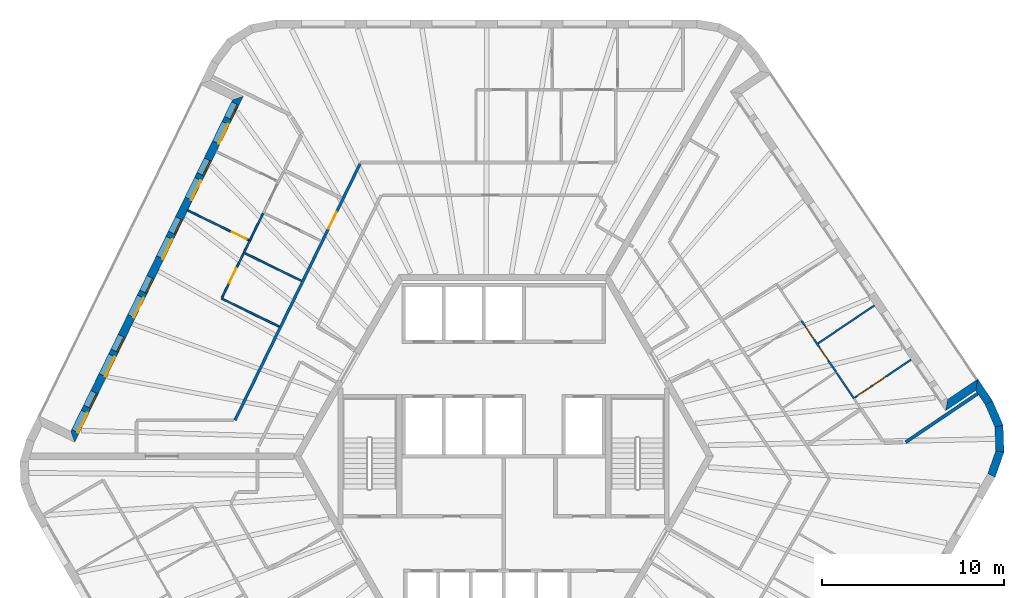
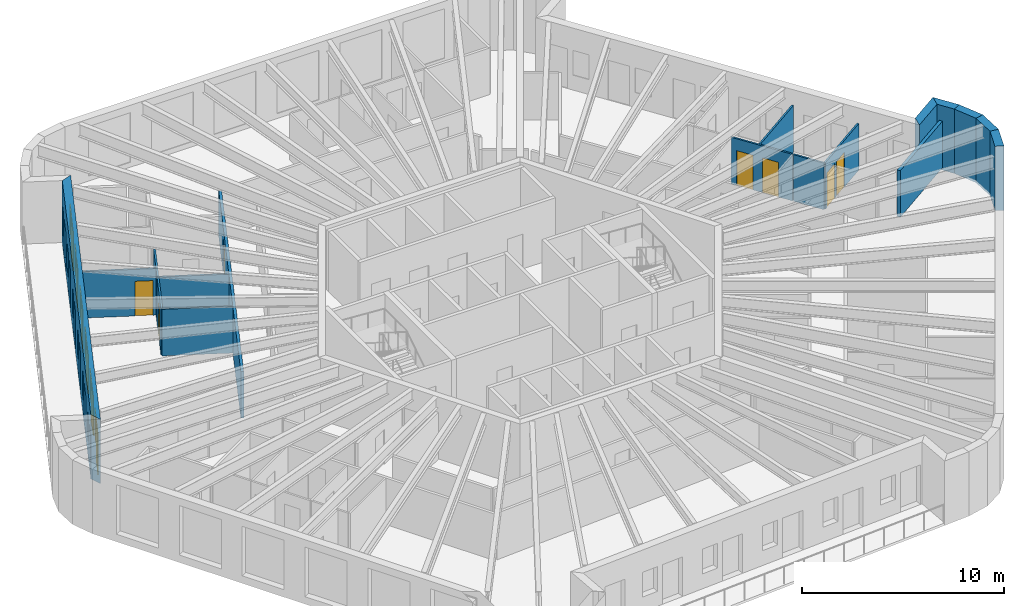
# One storey, part 7 of 11: 18 walls, 13 doors, 6 windows, 19 openings.
"""IFC4 building model written with IfcOpenShell, lengths in metres."""

from ifc_helpers import new_model, si_unit, direction, frame, frame_2d, origin, place, context, subcontext, project, spatial, polyline, rectangle, outline, extrude, material, layer, layer_set, type_object, element, fill, save


model = new_model("IFC4")

# Units and contexts
model_context = context("Model", 3, precision=1e-05, world=origin(), true_north=direction((0.0, 1.0)))
body_context = subcontext(model_context, "Body", "Model", "MODEL_VIEW")
ifc_project = project(units=[si_unit("LENGTHUNIT", "METRE"), si_unit("AREAUNIT", "SQUARE_METRE"), si_unit("VOLUMEUNIT", "CUBIC_METRE"), si_unit("PLANEANGLEUNIT", "RADIAN"), si_unit("MASSUNIT", "GRAM", prefix="KILO")], contexts=[model_context])

# Site, building, storey
site_placement = place(None, origin())
site = spatial("IfcSite", under=ifc_project, at=site_placement, CompositionType="ELEMENT")
building_placement = place(site_placement, origin())
building = spatial("IfcBuilding", under=site, at=building_placement, Name="Tarnside Tower", CompositionType="ELEMENT")
storey_placement = place(building_placement, frame((0.0, 0.0, 353.39990234375)))
storey = spatial("IfcBuildingStorey", under=building, at=storey_placement, Name="L85", CompositionType="ELEMENT", Elevation=353.39990234375)

# Walls
ifc_material_1 = material(Name="Gypsum board partition on steel studs", Category="steel")
ifc_layer_1 = layer(ifc_material_1, 0.10009765625)
ifc_layer_set_1 = layer_set([ifc_layer_1], Name="Bathroom wall 100")
wall_type_1 = type_object("IfcWallType", Name="Bathroom wall 100", PredefinedType="PARTITIONING", material=ifc_layer_set_1)
wall_1_placement = place(storey_placement, frame((-14.291259765625, 11.189208984375, 0.0), z_axis=(0.0, 0.0, 1.0), x_axis=(0.438105837585, 0.898923397779, 0.0)))
element("IfcWall", 1, at=wall_1_placement, inside=storey, type_object=wall_type_1, Name="Bathroom wall 27083", PredefinedType="PARTITIONING", context=body_context, shape_type="SweptSolid", body=[
    extrude(rectangle(XDim=0.74169921875, YDim=0.10009765625, at=frame_2d((0.370849609375, 0.0))), origin(), (0.0, 0.0, 1.0), 2.820068359375),
])
wall_2_placement = place(storey_placement, frame((-13.23828125, 13.34814453125, 0.0), z_axis=(0.0, 0.0, 1.0), x_axis=(-0.438380229518, -0.898789616299, 0.0)))
element("IfcWall", 2, at=wall_2_placement, inside=storey, type_object=wall_type_1, Name="Bathroom wall 27090", PredefinedType="PARTITIONING", context=body_context, shape_type="SweptSolid", body=[
    extrude(rectangle(XDim=1.662353515625, YDim=0.10009765625, at=frame_2d((0.8310546875, 0.0))), origin(), (0.0, 0.0, 1.0), 2.820068359375),
])
wall_3_placement = place(storey_placement, frame((-14.246337890625, 11.167236328125, 0.0), z_axis=(0.0, 0.0, 1.0), x_axis=(0.89880963085, -0.438339192283, 0.0)))
element("IfcWall", 3, at=wall_3_placement, inside=storey, type_object=wall_type_1, Name="Bathroom wall 27091", PredefinedType="PARTITIONING", context=body_context, shape_type="SweptSolid", body=[
    extrude(rectangle(XDim=3.474853515625, YDim=0.10009765625, at=frame_2d((1.7373046875, 0.0))), origin(), (0.0, 0.0, 1.0), 2.820068359375),
])
wall_4_placement = place(storey_placement, frame((19.262451171875, 3.184326171875, 0.0), z_axis=(0.0, 0.0, 1.0), x_axis=(-0.559155511525, 0.829062792514, 0.0)))
element("IfcWall", 4, at=wall_4_placement, inside=storey, type_object=wall_type_1, Name="Bathroom wall 27127", PredefinedType="PARTITIONING", context=body_context, shape_type="SweptSolid", body=[
    extrude(rectangle(XDim=1.69140625, YDim=0.10009765625, at=frame_2d((0.845703125, 0.0))), origin(), (0.0, 0.0, 1.0), 2.820068359375),
])

# Wall, opening, door
ifc_layer_2 = layer(ifc_material_1, 0.14990234375)
ifc_layer_set_2 = layer_set([ifc_layer_2], Name="Corridor wall 150 EI 60")
wall_type_2 = type_object("IfcWallType", Name="Corridor wall 150 EI 60", PredefinedType="PARTITIONING", material=ifc_layer_set_2)
wall_5_placement = place(storey_placement, frame((-7.903076171875, 16.074951171875, 0.0), z_axis=(0.0, 0.0, 1.0), x_axis=(-0.438364761272, -0.898797160696, 0.0)))
wall_5 = element("IfcWall", 5, at=wall_5_placement, inside=storey, type_object=wall_type_2, Name="Corridor wall 27002", PredefinedType="PARTITIONING", context=body_context, shape_type="SweptSolid", body=[
    extrude(rectangle(XDim=15.687744140625, YDim=0.14990234375, at=frame_2d((7.84375, 0.0))), origin(), (0.0, 0.0, 1.0), 2.820068359375),
])
opening_1_placement = place(wall_5_placement, frame((2.941650390625, 0.0, 0.0)))
opening_1 = element("IfcOpeningElement", 6, at=opening_1_placement, cuts=wall_5, Name="Opening D-E1", PredefinedType="OPENING", context=body_context, shape_type="SweptSolid", body=[
    extrude(rectangle(XDim=1.0, YDim=2.10009765625, at=frame_2d((0.5, 1.050048828125))), frame((0.0, 0.0849609375, 0.0), z_axis=(0.0, -1.0, 0.0), x_axis=(1.0, 0.0, 0.0)), (0.0, 0.0, 1.0), 0.169921875),
])
ifc_material_2 = material(Name="Timber door leaf", Category="wood")
door_type_1 = type_object("IfcDoorType", Name="Unit entrance door 1000 FD30S", OperationType="NOTDEFINED", PredefinedType="DOOR", material=ifc_material_2)
door_1_placement = place(opening_1_placement, origin())
door_1 = element("IfcDoor", 7, at=door_1_placement, inside=storey, type_object=door_type_1, Name="Unit door 27011", OperationType="SINGLE_SWING_LEFT", OverallHeight=2.10009765625, OverallWidth=1.0, PredefinedType="DOOR", context=body_context, shape_type="SweptSolid", body=[
    extrude(rectangle(XDim=1.0, YDim=2.10009765625, at=frame_2d((0.5, 1.050048828125))), frame((0.0, 0.02490234375, 0.0), z_axis=(0.0, -1.0, 0.0), x_axis=(1.0, 0.0, 0.0)), (0.0, 0.0, 1.0), 0.050048828125),
])
fill(opening_1, door_1)

# Wall
ifc_layer_3 = layer(ifc_material_1, 0.179931640625)
ifc_layer_set_3 = layer_set([ifc_layer_3], Name="Demising wall 180 EI 60")
wall_type_3 = type_object("IfcWallType", Name="Demising wall 180 EI 60", PredefinedType="PARTITIONING", material=ifc_layer_set_3)
wall_6_placement = place(storey_placement, frame((26.083984375, 3.443115234375, 0.0), z_axis=(0.0, 0.0, 1.0), x_axis=(-0.829033545972, -0.559198873079, 0.0)))
element("IfcWall", 8, at=wall_6_placement, inside=storey, type_object=wall_type_3, Name="Demising wall 27110", PredefinedType="PARTITIONING", context=body_context, shape_type="SweptSolid", body=[
    extrude(rectangle(XDim=4.775390625, YDim=0.179931640625, at=frame_2d((2.3876953125, 0.0))), origin(), (0.0, 0.0, 1.0), 2.820068359375),
])

# Wall, openings, doors, windows
ifc_material_3 = material(Name="Dark zinc cladding")
ifc_layer_4 = layer(ifc_material_3, 0.10205078125)
ifc_material_4 = material(Name="Concrete C60/75 precast", Category="concrete")
ifc_layer_5 = layer(ifc_material_4, 0.248046875)
ifc_material_5 = material(Name="Mineral wool insulation")
ifc_layer_6 = layer(ifc_material_5, 0.10009765625)
ifc_layer_set_4 = layer_set([ifc_layer_4, ifc_layer_5, ifc_layer_6], Name="Loggia wall 450 zinc faced")
wall_type_4 = type_object("IfcWallType", Name="Loggia wall 450 zinc faced", PredefinedType="SOLIDWALL", material=ifc_layer_set_4)
wall_7_placement = place(storey_placement, frame((-14.618896484375, 19.699462890625, -0.14990234375), z_axis=(0.0, 0.0, 1.0), x_axis=(-0.438373747484, -0.898792777851, 0.0)))
wall_7 = element("IfcWall", 9, at=wall_7_placement, inside=storey, type_object=wall_type_4, Name="Tube wall L85 F2 back 06", PredefinedType="SOLIDWALL", context=body_context, shape_type="SweptSolid", body=[
    extrude(outline(polyline([(0.224853515625, -0.22509765625), (20.50634765625, -0.22509765625), (20.95654296875, 0.22509765625), (-0.224853515625, 0.22509765625), (0.224853515625, -0.22509765625)])), origin(), (0.0, 0.0, 1.0), 3.89990234375),
])
opening_2_placement = place(wall_7_placement, frame((0.324951171875, 0.0, 1.050048828125)))
opening_2 = element("IfcOpeningElement", 10, at=opening_2_placement, cuts=wall_7, Name="Opening WL450", PredefinedType="OPENING", context=body_context, shape_type="SweptSolid", body=[
    extrude(rectangle(XDim=0.89990234375, YDim=1.5, at=frame_2d((0.449951171875, 0.75))), frame((0.0, 0.23486328125, 0.0), z_axis=(0.0, -1.0, 0.0), x_axis=(1.0, 0.0, 0.0)), (0.0, 0.0, 1.0), 0.469970703125),
])
opening_3_placement = place(wall_7_placement, frame((1.52490234375, 0.0, 0.14990234375)))
opening_3 = element("IfcOpeningElement", 11, at=opening_3_placement, cuts=wall_7, Name="Opening DB450", PredefinedType="OPENING", context=body_context, shape_type="SweptSolid", body=[
    extrude(rectangle(XDim=1.199951171875, YDim=2.39990234375, at=frame_2d((0.60009765625, 1.199951171875))), frame((0.0, 0.23486328125, 0.0), z_axis=(0.0, -1.0, 0.0), x_axis=(1.0, 0.0, 0.0)), (0.0, 0.0, 1.0), 0.469970703125),
])
opening_4_placement = place(wall_7_placement, frame((3.765869140625, 0.0, 1.050048828125)))
opening_4 = element("IfcOpeningElement", 12, at=opening_4_placement, cuts=wall_7, Name="Opening WL450", PredefinedType="OPENING", context=body_context, shape_type="SweptSolid", body=[
    extrude(rectangle(XDim=0.89990234375, YDim=1.5, at=frame_2d((0.449951171875, 0.75))), frame((0.0, 0.23486328125, 0.0), z_axis=(0.0, -1.0, 0.0), x_axis=(1.0, 0.0, 0.0)), (0.0, 0.0, 1.0), 0.469970703125),
])
opening_5_placement = place(wall_7_placement, frame((4.9658203125, 0.0, 0.14990234375)))
opening_5 = element("IfcOpeningElement", 13, at=opening_5_placement, cuts=wall_7, Name="Opening DB450", PredefinedType="OPENING", context=body_context, shape_type="SweptSolid", body=[
    extrude(rectangle(XDim=1.199951171875, YDim=2.39990234375, at=frame_2d((0.60009765625, 1.199951171875))), frame((0.0, 0.23486328125, 0.0), z_axis=(0.0, -1.0, 0.0), x_axis=(1.0, 0.0, 0.0)), (0.0, 0.0, 1.0), 0.469970703125),
])
opening_6_placement = place(wall_7_placement, frame((7.36572265625, 0.0, 1.050048828125)))
opening_6 = element("IfcOpeningElement", 14, at=opening_6_placement, cuts=wall_7, Name="Opening WL450", PredefinedType="OPENING", context=body_context, shape_type="SweptSolid", body=[
    extrude(rectangle(XDim=0.89990234375, YDim=1.5, at=frame_2d((0.449951171875, 0.75))), frame((0.0, 0.23486328125, 0.0), z_axis=(0.0, -1.0, 0.0), x_axis=(1.0, 0.0, 0.0)), (0.0, 0.0, 1.0), 0.469970703125),
])
opening_7_placement = place(wall_7_placement, frame((8.56591796875, 0.0, 0.14990234375)))
opening_7 = element("IfcOpeningElement", 15, at=opening_7_placement, cuts=wall_7, Name="Opening DB450", PredefinedType="OPENING", context=body_context, shape_type="SweptSolid", body=[
    extrude(rectangle(XDim=1.199951171875, YDim=2.39990234375, at=frame_2d((0.60009765625, 1.199951171875))), frame((0.0, 0.23486328125, 0.0), z_axis=(0.0, -1.0, 0.0), x_axis=(1.0, 0.0, 0.0)), (0.0, 0.0, 1.0), 0.469970703125),
])
opening_8_placement = place(wall_7_placement, frame((10.9658203125, 0.0, 1.050048828125)))
opening_8 = element("IfcOpeningElement", 16, at=opening_8_placement, cuts=wall_7, Name="Opening WL450", PredefinedType="OPENING", context=body_context, shape_type="SweptSolid", body=[
    extrude(rectangle(XDim=0.89990234375, YDim=1.5, at=frame_2d((0.449951171875, 0.75))), frame((0.0, 0.23486328125, 0.0), z_axis=(0.0, -1.0, 0.0), x_axis=(1.0, 0.0, 0.0)), (0.0, 0.0, 1.0), 0.469970703125),
])
opening_9_placement = place(wall_7_placement, frame((12.165771484375, 0.0, 0.14990234375)))
opening_9 = element("IfcOpeningElement", 17, at=opening_9_placement, cuts=wall_7, Name="Opening DB450", PredefinedType="OPENING", context=body_context, shape_type="SweptSolid", body=[
    extrude(rectangle(XDim=1.199951171875, YDim=2.39990234375, at=frame_2d((0.60009765625, 1.199951171875))), frame((0.0, 0.23486328125, 0.0), z_axis=(0.0, -1.0, 0.0), x_axis=(1.0, 0.0, 0.0)), (0.0, 0.0, 1.0), 0.469970703125),
])
opening_10_placement = place(wall_7_placement, frame((14.56591796875, 0.0, 1.050048828125)))
opening_10 = element("IfcOpeningElement", 18, at=opening_10_placement, cuts=wall_7, Name="Opening WL450", PredefinedType="OPENING", context=body_context, shape_type="SweptSolid", body=[
    extrude(rectangle(XDim=0.89990234375, YDim=1.5, at=frame_2d((0.449951171875, 0.75))), frame((0.0, 0.23486328125, 0.0), z_axis=(0.0, -1.0, 0.0), x_axis=(1.0, 0.0, 0.0)), (0.0, 0.0, 1.0), 0.469970703125),
])
opening_11_placement = place(wall_7_placement, frame((15.765869140625, 0.0, 0.14990234375)))
opening_11 = element("IfcOpeningElement", 19, at=opening_11_placement, cuts=wall_7, Name="Opening DB450", PredefinedType="OPENING", context=body_context, shape_type="SweptSolid", body=[
    extrude(rectangle(XDim=1.199951171875, YDim=2.39990234375, at=frame_2d((0.60009765625, 1.199951171875))), frame((0.0, 0.23486328125, 0.0), z_axis=(0.0, -1.0, 0.0), x_axis=(1.0, 0.0, 0.0)), (0.0, 0.0, 1.0), 0.469970703125),
])
opening_12_placement = place(wall_7_placement, frame((18.006591796875, 0.0, 1.050048828125)))
opening_12 = element("IfcOpeningElement", 20, at=opening_12_placement, cuts=wall_7, Name="Opening WL450", PredefinedType="OPENING", context=body_context, shape_type="SweptSolid", body=[
    extrude(rectangle(XDim=0.89990234375, YDim=1.5, at=frame_2d((0.449951171875, 0.75))), frame((0.0, 0.23486328125, 0.0), z_axis=(0.0, -1.0, 0.0), x_axis=(1.0, 0.0, 0.0)), (0.0, 0.0, 1.0), 0.469970703125),
])
opening_13_placement = place(wall_7_placement, frame((19.20654296875, 0.0, 0.14990234375)))
opening_13 = element("IfcOpeningElement", 21, at=opening_13_placement, cuts=wall_7, Name="Opening DB450", PredefinedType="OPENING", context=body_context, shape_type="SweptSolid", body=[
    extrude(rectangle(XDim=1.199951171875, YDim=2.39990234375, at=frame_2d((0.60009765625, 1.199951171875))), frame((0.0, 0.23486328125, 0.0), z_axis=(0.0, -1.0, 0.0), x_axis=(1.0, 0.0, 0.0)), (0.0, 0.0, 1.0), 0.469970703125),
])
ifc_material_6 = material(Name="Aluminium-framed double glazing", Category="aluminium")
door_type_2 = type_object("IfcDoorType", Name="Balcony sliding door 1200 x 2400 in 450 wall", OperationType="SLIDING_TO_LEFT", PredefinedType="DOOR", material=ifc_material_6)
door_2_placement = place(opening_3_placement, frame((0.0, 0.150146484375, 0.0)))
door_2 = element("IfcDoor", 22, at=door_2_placement, inside=storey, type_object=door_type_2, Name="E.BD.L85.F2.00", OperationType="SLIDING_TO_LEFT", OverallHeight=2.39990234375, OverallWidth=1.199951171875, PredefinedType="DOOR", context=body_context, shape_type="SweptSolid", body=[
    extrude(rectangle(XDim=1.199951171875, YDim=2.39990234375, at=frame_2d((0.60009765625, 1.199951171875))), frame((0.0, 0.02490234375, 0.0), z_axis=(0.0, -1.0, 0.0), x_axis=(1.0, 0.0, 0.0)), (0.0, 0.0, 1.0), 0.050048828125),
])
fill(opening_3, door_2)
door_3_placement = place(opening_5_placement, frame((0.0, 0.150146484375, 0.0)))
door_3 = element("IfcDoor", 23, at=door_3_placement, inside=storey, type_object=door_type_2, Name="E.BD.L85.F2.01", OperationType="SLIDING_TO_LEFT", OverallHeight=2.39990234375, OverallWidth=1.199951171875, PredefinedType="DOOR", context=body_context, shape_type="SweptSolid", body=[
    extrude(rectangle(XDim=1.199951171875, YDim=2.39990234375, at=frame_2d((0.60009765625, 1.199951171875))), frame((0.0, 0.02490234375, 0.0), z_axis=(0.0, -1.0, 0.0), x_axis=(1.0, 0.0, 0.0)), (0.0, 0.0, 1.0), 0.050048828125),
])
fill(opening_5, door_3)
door_4_placement = place(opening_7_placement, frame((0.0, 0.150146484375, 0.0)))
door_4 = element("IfcDoor", 24, at=door_4_placement, inside=storey, type_object=door_type_2, Name="E.BD.L85.F2.02", OperationType="SLIDING_TO_LEFT", OverallHeight=2.39990234375, OverallWidth=1.199951171875, PredefinedType="DOOR", context=body_context, shape_type="SweptSolid", body=[
    extrude(rectangle(XDim=1.199951171875, YDim=2.39990234375, at=frame_2d((0.60009765625, 1.199951171875))), frame((0.0, 0.02490234375, 0.0), z_axis=(0.0, -1.0, 0.0), x_axis=(1.0, 0.0, 0.0)), (0.0, 0.0, 1.0), 0.050048828125),
])
fill(opening_7, door_4)
door_5_placement = place(opening_9_placement, frame((0.0, 0.150146484375, 0.0)))
door_5 = element("IfcDoor", 25, at=door_5_placement, inside=storey, type_object=door_type_2, Name="E.BD.L85.F2.03", OperationType="SLIDING_TO_LEFT", OverallHeight=2.39990234375, OverallWidth=1.199951171875, PredefinedType="DOOR", context=body_context, shape_type="SweptSolid", body=[
    extrude(rectangle(XDim=1.199951171875, YDim=2.39990234375, at=frame_2d((0.60009765625, 1.199951171875))), frame((0.0, 0.02490234375, 0.0), z_axis=(0.0, -1.0, 0.0), x_axis=(1.0, 0.0, 0.0)), (0.0, 0.0, 1.0), 0.050048828125),
])
fill(opening_9, door_5)
door_6_placement = place(opening_11_placement, frame((0.0, 0.150146484375, 0.0)))
door_6 = element("IfcDoor", 26, at=door_6_placement, inside=storey, type_object=door_type_2, Name="E.BD.L85.F2.04", OperationType="SLIDING_TO_LEFT", OverallHeight=2.39990234375, OverallWidth=1.199951171875, PredefinedType="DOOR", context=body_context, shape_type="SweptSolid", body=[
    extrude(rectangle(XDim=1.199951171875, YDim=2.39990234375, at=frame_2d((0.60009765625, 1.199951171875))), frame((0.0, 0.02490234375, 0.0), z_axis=(0.0, -1.0, 0.0), x_axis=(1.0, 0.0, 0.0)), (0.0, 0.0, 1.0), 0.050048828125),
])
fill(opening_11, door_6)
door_7_placement = place(opening_13_placement, frame((0.0, 0.150146484375, 0.0)))
door_7 = element("IfcDoor", 27, at=door_7_placement, inside=storey, type_object=door_type_2, Name="E.BD.L85.F2.05", OperationType="SLIDING_TO_LEFT", OverallHeight=2.39990234375, OverallWidth=1.199951171875, PredefinedType="DOOR", context=body_context, shape_type="SweptSolid", body=[
    extrude(rectangle(XDim=1.199951171875, YDim=2.39990234375, at=frame_2d((0.60009765625, 1.199951171875))), frame((0.0, 0.02490234375, 0.0), z_axis=(0.0, -1.0, 0.0), x_axis=(1.0, 0.0, 0.0)), (0.0, 0.0, 1.0), 0.050048828125),
])
fill(opening_13, door_7)
window_type = type_object("IfcWindowType", Name="Loggia window 900 x 1500 in 450 wall", PartitioningType="SINGLE_PANEL", PredefinedType="WINDOW", material=ifc_material_6)
window_1_placement = place(opening_2_placement, frame((0.0, 0.1552734375, 0.0)))
window_1 = element("IfcWindow", 28, at=window_1_placement, inside=storey, type_object=window_type, Name="E.LW.L85.F2.00", OverallHeight=1.5, OverallWidth=0.89990234375, PartitioningType="SINGLE_PANEL", PredefinedType="WINDOW", context=body_context, shape_type="SweptSolid", body=[
    extrude(rectangle(XDim=0.89990234375, YDim=1.5, at=frame_2d((0.449951171875, 0.75))), frame((0.0, 0.030029296875, 0.0), z_axis=(0.0, -1.0, 0.0), x_axis=(1.0, 0.0, 0.0)), (0.0, 0.0, 1.0), 0.06005859375),
])
fill(opening_2, window_1)
window_2_placement = place(opening_4_placement, frame((0.0, 0.1552734375, 0.0)))
window_2 = element("IfcWindow", 29, at=window_2_placement, inside=storey, type_object=window_type, Name="E.LW.L85.F2.01", OverallHeight=1.5, OverallWidth=0.89990234375, PartitioningType="SINGLE_PANEL", PredefinedType="WINDOW", context=body_context, shape_type="SweptSolid", body=[
    extrude(rectangle(XDim=0.89990234375, YDim=1.5, at=frame_2d((0.449951171875, 0.75))), frame((0.0, 0.030029296875, 0.0), z_axis=(0.0, -1.0, 0.0), x_axis=(1.0, 0.0, 0.0)), (0.0, 0.0, 1.0), 0.06005859375),
])
fill(opening_4, window_2)
window_3_placement = place(opening_6_placement, frame((0.0, 0.1552734375, 0.0)))
window_3 = element("IfcWindow", 30, at=window_3_placement, inside=storey, type_object=window_type, Name="E.LW.L85.F2.02", OverallHeight=1.5, OverallWidth=0.89990234375, PartitioningType="SINGLE_PANEL", PredefinedType="WINDOW", context=body_context, shape_type="SweptSolid", body=[
    extrude(rectangle(XDim=0.89990234375, YDim=1.5, at=frame_2d((0.449951171875, 0.75))), frame((0.0, 0.030029296875, 0.0), z_axis=(0.0, -1.0, 0.0), x_axis=(1.0, 0.0, 0.0)), (0.0, 0.0, 1.0), 0.06005859375),
])
fill(opening_6, window_3)
window_4_placement = place(opening_8_placement, frame((0.0, 0.1552734375, 0.0)))
window_4 = element("IfcWindow", 31, at=window_4_placement, inside=storey, type_object=window_type, Name="E.LW.L85.F2.03", OverallHeight=1.5, OverallWidth=0.89990234375, PartitioningType="SINGLE_PANEL", PredefinedType="WINDOW", context=body_context, shape_type="SweptSolid", body=[
    extrude(rectangle(XDim=0.89990234375, YDim=1.5, at=frame_2d((0.449951171875, 0.75))), frame((0.0, 0.030029296875, 0.0), z_axis=(0.0, -1.0, 0.0), x_axis=(1.0, 0.0, 0.0)), (0.0, 0.0, 1.0), 0.06005859375),
])
fill(opening_8, window_4)
window_5_placement = place(opening_10_placement, frame((0.0, 0.1552734375, 0.0)))
window_5 = element("IfcWindow", 32, at=window_5_placement, inside=storey, type_object=window_type, Name="E.LW.L85.F2.04", OverallHeight=1.5, OverallWidth=0.89990234375, PartitioningType="SINGLE_PANEL", PredefinedType="WINDOW", context=body_context, shape_type="SweptSolid", body=[
    extrude(rectangle(XDim=0.89990234375, YDim=1.5, at=frame_2d((0.449951171875, 0.75))), frame((0.0, 0.030029296875, 0.0), z_axis=(0.0, -1.0, 0.0), x_axis=(1.0, 0.0, 0.0)), (0.0, 0.0, 1.0), 0.06005859375),
])
fill(opening_10, window_5)
window_6_placement = place(opening_12_placement, frame((0.0, 0.1552734375, 0.0)))
window_6 = element("IfcWindow", 33, at=window_6_placement, inside=storey, type_object=window_type, Name="E.LW.L85.F2.05", OverallHeight=1.5, OverallWidth=0.89990234375, PartitioningType="SINGLE_PANEL", PredefinedType="WINDOW", context=body_context, shape_type="SweptSolid", body=[
    extrude(rectangle(XDim=0.89990234375, YDim=1.5, at=frame_2d((0.449951171875, 0.75))), frame((0.0, 0.030029296875, 0.0), z_axis=(0.0, -1.0, 0.0), x_axis=(1.0, 0.0, 0.0)), (0.0, 0.0, 1.0), 0.06005859375),
])
fill(opening_12, window_6)

# Walls
wall_8_placement = place(storey_placement, frame((26.69873046875, 2.93408203125, -0.14990234375), z_axis=(0.0, 0.0, 1.0), x_axis=(-0.559105892217, 0.829096255744, 0.0)))
element("IfcWall", 34, at=wall_8_placement, inside=storey, type_object=wall_type_4, Name="Tube wall L85 F6 stub 28", PredefinedType="SOLIDWALL", context=body_context, shape_type="SweptSolid", body=[
    extrude(outline(polyline([(-0.02099609375, -0.22509765625), (1.4248046875, -0.22509765625), (0.97509765625, 0.22509765625), (0.02099609375, 0.22509765625), (-0.02099609375, -0.22509765625)])), origin(), (0.0, 0.0, 1.0), 3.89990234375),
])
wall_9_placement = place(storey_placement, frame((26.02783203125, 3.928955078125, -0.14990234375), z_axis=(0.0, 0.0, 1.0), x_axis=(-0.829052389485, -0.559170935841, 0.0)))
element("IfcWall", 35, at=wall_9_placement, inside=storey, type_object=wall_type_4, Name="Tube wall L85 F6 return 29", PredefinedType="SOLIDWALL", context=body_context, shape_type="SweptSolid", body=[
    extrude(outline(polyline([(-0.224853515625, -0.22509765625), (1.77490234375, -0.22509765625), (2.22509765625, 0.22509765625), (0.224853515625, 0.22509765625), (-0.224853515625, -0.22509765625)])), origin(), (0.0, 0.0, 1.0), 3.89990234375),
])

# Wall, opening, door
ifc_layer_7 = layer(ifc_material_1, 0.10009765625)
ifc_layer_set_5 = layer_set([ifc_layer_7], Name="Partition 100")
wall_type_5 = type_object("IfcWallType", Name="Partition 100", PredefinedType="PARTITIONING", material=ifc_layer_set_5)
wall_10_placement = place(storey_placement, frame((-14.011962890625, 11.8759765625, 0.0), z_axis=(0.0, 0.0, 1.0), x_axis=(-0.898810362659, 0.438337691713, 0.0)))
wall_10 = element("IfcWall", 36, at=wall_10_placement, inside=storey, type_object=wall_type_5, Name="Partition wall 27084", PredefinedType="PARTITIONING", context=body_context, shape_type="SweptSolid", body=[
    extrude(rectangle(XDim=3.75, YDim=0.10009765625, at=frame_2d((1.875, 0.0))), origin(), (0.0, 0.0, 1.0), 2.820068359375),
])
opening_14_placement = place(wall_10_placement, frame((0.14990234375, 0.0, 0.0)))
opening_14 = element("IfcOpeningElement", 37, at=opening_14_placement, cuts=wall_10, Name="Opening D-I1", PredefinedType="OPENING", context=body_context, shape_type="SweptSolid", body=[
    extrude(rectangle(XDim=0.89990234375, YDim=2.10009765625, at=frame_2d((0.449951171875, 1.050048828125))), frame((0.0, 0.06005859375, 0.0), z_axis=(0.0, -1.0, 0.0), x_axis=(1.0, 0.0, 0.0)), (0.0, 0.0, 1.0), 0.1201171875),
])
door_type_3 = type_object("IfcDoorType", Name="Internal door 900", OperationType="NOTDEFINED", PredefinedType="DOOR", material=ifc_material_2)
door_8_placement = place(opening_14_placement, origin())
door_8 = element("IfcDoor", 38, at=door_8_placement, inside=storey, type_object=door_type_3, Name="Internal door 27020", OperationType="SINGLE_SWING_RIGHT", OverallHeight=2.10009765625, OverallWidth=0.89990234375, PredefinedType="DOOR", context=body_context, shape_type="SweptSolid", body=[
    extrude(rectangle(XDim=0.89990234375, YDim=2.10009765625, at=frame_2d((0.449951171875, 1.050048828125))), frame((0.0, 0.02490234375, 0.0), z_axis=(0.0, -1.0, 0.0), x_axis=(1.0, 0.0, 0.0)), (0.0, 0.0, 1.0), 0.050048828125),
])
fill(opening_14, door_8)

# Wall
wall_11_placement = place(storey_placement, frame((-12.3505859375, 7.12744140625, 0.0), z_axis=(0.0, 0.0, 1.0), x_axis=(-0.898802391248, 0.438354036696, 0.0)))
element("IfcWall", 39, at=wall_11_placement, inside=storey, type_object=wall_type_5, Name="Partition wall 27085", PredefinedType="PARTITIONING", context=body_context, shape_type="SweptSolid", body=[
    extrude(rectangle(XDim=3.52490234375, YDim=0.10009765625, at=frame_2d((1.762451171875, 0.0))), origin(), (0.0, 0.0, 1.0), 2.820068359375),
])

# Wall, opening, door
wall_12_placement = place(storey_placement, frame((-15.496826171875, 8.717529296875, 0.0), z_axis=(0.0, 0.0, 1.0), x_axis=(0.438366623032, 0.898796252669, 0.0)))
wall_12 = element("IfcWall", 40, at=wall_12_placement, inside=storey, type_object=wall_type_5, Name="Partition wall 27086", PredefinedType="PARTITIONING", context=body_context, shape_type="SweptSolid", body=[
    extrude(rectangle(XDim=2.699951171875, YDim=0.10009765625, at=frame_2d((1.35009765625, 0.0))), origin(), (0.0, 0.0, 1.0), 2.820068359375),
])
opening_15_placement = place(wall_12_placement, frame((0.89990234375, 0.0, 0.0)))
opening_15 = element("IfcOpeningElement", 41, at=opening_15_placement, cuts=wall_12, Name="Opening D-I1", PredefinedType="OPENING", context=body_context, shape_type="SweptSolid", body=[
    extrude(rectangle(XDim=0.89990234375, YDim=2.10009765625, at=frame_2d((0.449951171875, 1.050048828125))), frame((0.0, 0.06005859375, 0.0), z_axis=(0.0, -1.0, 0.0), x_axis=(1.0, 0.0, 0.0)), (0.0, 0.0, 1.0), 0.1201171875),
])
door_9_placement = place(opening_15_placement, origin())
door_9 = element("IfcDoor", 42, at=door_9_placement, inside=storey, type_object=door_type_3, Name="Internal door 27021", OperationType="SINGLE_SWING_RIGHT", OverallHeight=2.10009765625, OverallWidth=0.89990234375, PredefinedType="DOOR", context=body_context, shape_type="SweptSolid", body=[
    extrude(rectangle(XDim=0.89990234375, YDim=2.10009765625, at=frame_2d((0.449951171875, 1.050048828125))), frame((0.0, 0.02490234375, 0.0), z_axis=(0.0, -1.0, 0.0), x_axis=(1.0, 0.0, 0.0)), (0.0, 0.0, 1.0), 0.050048828125),
])
fill(opening_15, door_9)

# Wall, openings, doors
wall_13_placement = place(storey_placement, frame((18.290771484375, 4.625, 0.0), z_axis=(0.0, 0.0, 1.0), x_axis=(-0.55916115895, 0.82905898362, 0.0)))
wall_13 = element("IfcWall", 43, at=wall_13_placement, inside=storey, type_object=wall_type_5, Name="Partition wall 27123", PredefinedType="PARTITIONING", context=body_context, shape_type="SweptSolid", body=[
    extrude(rectangle(XDim=3.40380859375, YDim=0.10009765625, at=frame_2d((1.701904296875, 0.0))), origin(), (0.0, 0.0, 1.0), 2.820068359375),
])
opening_16_placement = place(wall_13_placement, frame((0.76220703125, 0.0, 0.0)))
opening_16 = element("IfcOpeningElement", 44, at=opening_16_placement, cuts=wall_13, Name="Opening D-I1", PredefinedType="OPENING", context=body_context, shape_type="SweptSolid", body=[
    extrude(rectangle(XDim=0.89990234375, YDim=2.10009765625, at=frame_2d((0.449951171875, 1.050048828125))), frame((0.0, 0.06005859375, 0.0), z_axis=(0.0, -1.0, 0.0), x_axis=(1.0, 0.0, 0.0)), (0.0, 0.0, 1.0), 0.1201171875),
])
opening_17_placement = place(wall_13_placement, frame((2.18212890625, 0.0, 0.0)))
opening_17 = element("IfcOpeningElement", 45, at=opening_17_placement, cuts=wall_13, Name="Opening D-I1", PredefinedType="OPENING", context=body_context, shape_type="SweptSolid", body=[
    extrude(rectangle(XDim=0.89990234375, YDim=2.10009765625, at=frame_2d((0.449951171875, 1.050048828125))), frame((0.0, 0.06005859375, 0.0), z_axis=(0.0, -1.0, 0.0), x_axis=(1.0, 0.0, 0.0)), (0.0, 0.0, 1.0), 0.1201171875),
])
door_10_placement = place(opening_16_placement, origin())
door_10 = element("IfcDoor", 46, at=door_10_placement, inside=storey, type_object=door_type_3, Name="Internal door 27048", OperationType="SINGLE_SWING_LEFT", OverallHeight=2.10009765625, OverallWidth=0.89990234375, PredefinedType="DOOR", context=body_context, shape_type="SweptSolid", body=[
    extrude(rectangle(XDim=0.89990234375, YDim=2.10009765625, at=frame_2d((0.449951171875, 1.050048828125))), frame((0.0, 0.02490234375, 0.0), z_axis=(0.0, -1.0, 0.0), x_axis=(1.0, 0.0, 0.0)), (0.0, 0.0, 1.0), 0.050048828125),
])
fill(opening_16, door_10)
door_11_placement = place(opening_17_placement, origin())
door_11 = element("IfcDoor", 47, at=door_11_placement, inside=storey, type_object=door_type_3, Name="Internal door 27055", OperationType="SINGLE_SWING_LEFT", OverallHeight=2.10009765625, OverallWidth=0.89990234375, PredefinedType="DOOR", context=body_context, shape_type="SweptSolid", body=[
    extrude(rectangle(XDim=0.89990234375, YDim=2.10009765625, at=frame_2d((0.449951171875, 1.050048828125))), frame((0.0, 0.02490234375, 0.0), z_axis=(0.0, -1.0, 0.0), x_axis=(1.0, 0.0, 0.0)), (0.0, 0.0, 1.0), 0.050048828125),
])
fill(opening_17, door_11)

wall_14_placement = place(storey_placement, frame((22.412841796875, 5.309326171875, 0.0), z_axis=(0.0, 0.0, 1.0), x_axis=(-0.829013169089, -0.559229081394, 0.0)))
wall_14 = element("IfcWall", 48, at=wall_14_placement, inside=storey, type_object=wall_type_5, Name="Partition wall 27128", PredefinedType="PARTITIONING", context=body_context, shape_type="SweptSolid", body=[
    extrude(rectangle(XDim=3.75, YDim=0.10009765625, at=frame_2d((1.875, 0.0))), origin(), (0.0, 0.0, 1.0), 2.820068359375),
])
opening_18_placement = place(wall_14_placement, frame((2.699951171875, 0.0, 0.0)))
opening_18 = element("IfcOpeningElement", 49, at=opening_18_placement, cuts=wall_14, Name="Opening D-I1", PredefinedType="OPENING", context=body_context, shape_type="SweptSolid", body=[
    extrude(rectangle(XDim=0.89990234375, YDim=2.10009765625, at=frame_2d((0.449951171875, 1.050048828125))), frame((0.0, 0.06005859375, 0.0), z_axis=(0.0, -1.0, 0.0), x_axis=(1.0, 0.0, 0.0)), (0.0, 0.0, 1.0), 0.1201171875),
])
opening_19_placement = place(wall_14_placement, frame((1.64990234375, 0.0, 0.0)))
opening_19 = element("IfcOpeningElement", 50, at=opening_19_placement, cuts=wall_14, Name="Opening D-I1", PredefinedType="OPENING", context=body_context, shape_type="SweptSolid", body=[
    extrude(rectangle(XDim=0.89990234375, YDim=2.10009765625, at=frame_2d((0.449951171875, 1.050048828125))), frame((0.0, 0.06005859375, 0.0), z_axis=(0.0, -1.0, 0.0), x_axis=(1.0, 0.0, 0.0)), (0.0, 0.0, 1.0), 0.1201171875),
])
door_12_placement = place(opening_18_placement, origin())
door_12 = element("IfcDoor", 51, at=door_12_placement, inside=storey, type_object=door_type_3, Name="Internal door 27051", OperationType="SINGLE_SWING_RIGHT", OverallHeight=2.10009765625, OverallWidth=0.89990234375, PredefinedType="DOOR", context=body_context, shape_type="SweptSolid", body=[
    extrude(rectangle(XDim=0.89990234375, YDim=2.10009765625, at=frame_2d((0.449951171875, 1.050048828125))), frame((0.0, 0.02490234375, 0.0), z_axis=(0.0, -1.0, 0.0), x_axis=(1.0, 0.0, 0.0)), (0.0, 0.0, 1.0), 0.050048828125),
])
fill(opening_18, door_12)
door_13_placement = place(opening_19_placement, origin())
door_13 = element("IfcDoor", 52, at=door_13_placement, inside=storey, type_object=door_type_3, Name="Internal door 27054", OperationType="SINGLE_SWING_LEFT", OverallHeight=2.10009765625, OverallWidth=0.89990234375, PredefinedType="DOOR", context=body_context, shape_type="SweptSolid", body=[
    extrude(rectangle(XDim=0.89990234375, YDim=2.10009765625, at=frame_2d((0.449951171875, 1.050048828125))), frame((0.0, 0.02490234375, 0.0), z_axis=(0.0, -1.0, 0.0), x_axis=(1.0, 0.0, 0.0)), (0.0, 0.0, 1.0), 0.050048828125),
])
fill(opening_19, door_13)

# Walls
wall_15_placement = place(storey_placement, frame((20.39990234375, 8.293701171875, 0.0), z_axis=(0.0, 0.0, 1.0), x_axis=(-0.829043350963, -0.559184336534, 0.0)))
element("IfcWall", 53, at=wall_15_placement, inside=storey, type_object=wall_type_5, Name="Partition wall 27129", PredefinedType="PARTITIONING", context=body_context, shape_type="SweptSolid", body=[
    extrude(rectangle(XDim=3.75, YDim=0.10009765625, at=frame_2d((1.875, 0.0))), origin(), (0.0, 0.0, 1.0), 2.820068359375),
])
ifc_material_7 = material(Name="Facing brick", Category="masonry")
ifc_layer_8 = layer(ifc_material_7, 0.10205078125)
ifc_layer_9 = layer(ifc_material_4, 0.248046875)
ifc_layer_10 = layer(ifc_material_5, 0.10009765625)
ifc_layer_set_6 = layer_set([ifc_layer_8, ifc_layer_9, ifc_layer_10], Name="Tube wall 450 brick faced")
wall_type_6 = type_object("IfcWallType", Name="Tube wall 450 brick faced", PredefinedType="SOLIDWALL", material=ifc_layer_set_6)
wall_16_placement = place(storey_placement, frame((26.83837890625, -1.064453125, -0.14990234375), z_axis=(0.0, 0.0, 1.0), x_axis=(0.331074067573, 0.943604769901, 0.0)))
element("IfcWall", 54, at=wall_16_placement, inside=storey, type_object=wall_type_6, Name="Tube wall L85 F5 chord 25", PredefinedType="SOLIDWALL", context=body_context, shape_type="SweptSolid", body=[
    extrude(outline(polyline([(-0.02099609375, -0.22509765625), (1.43994140625, -0.22509765625), (1.35498046875, 0.22509765625), (0.02099609375, 0.22509765625), (-0.02099609375, -0.22509765625)])), origin(), (0.0, 0.0, 1.0), 3.89990234375),
])
wall_17_placement = place(storey_placement, frame((27.301025390625, 0.254150390625, -0.14990234375), z_axis=(0.0, 0.0, 1.0), x_axis=(-0.034763104447, 0.999395580623, 0.0)))
element("IfcWall", 55, at=wall_17_placement, inside=storey, type_object=wall_type_6, Name="Tube wall L85 F5 chord 26", PredefinedType="SOLIDWALL", context=body_context, shape_type="SweptSolid", body=[
    extrude(outline(polyline([(-0.04248046875, -0.22509765625), (1.43994140625, -0.22509765625), (1.35498046875, 0.22509765625), (0.04248046875, 0.22509765625), (-0.04248046875, -0.22509765625)])), origin(), (0.0, 0.0, 1.0), 3.89990234375),
])
wall_18_placement = place(storey_placement, frame((27.25244140625, 1.65087890625, -0.14990234375), z_axis=(0.0, 0.0, 1.0), x_axis=(-0.396195073027, 0.918166359713, 0.0)))
element("IfcWall", 56, at=wall_18_placement, inside=storey, type_object=wall_type_6, Name="Tube wall L85 F5 chord 27", PredefinedType="SOLIDWALL", context=body_context, shape_type="SweptSolid", body=[
    extrude(outline(polyline([(-0.04248046875, -0.22509765625), (1.41845703125, -0.22509765625), (1.37646484375, 0.22509765625), (0.04248046875, 0.22509765625), (-0.04248046875, -0.22509765625)])), origin(), (0.0, 0.0, 1.0), 3.89990234375),
])

save(model, "model.ifc")
